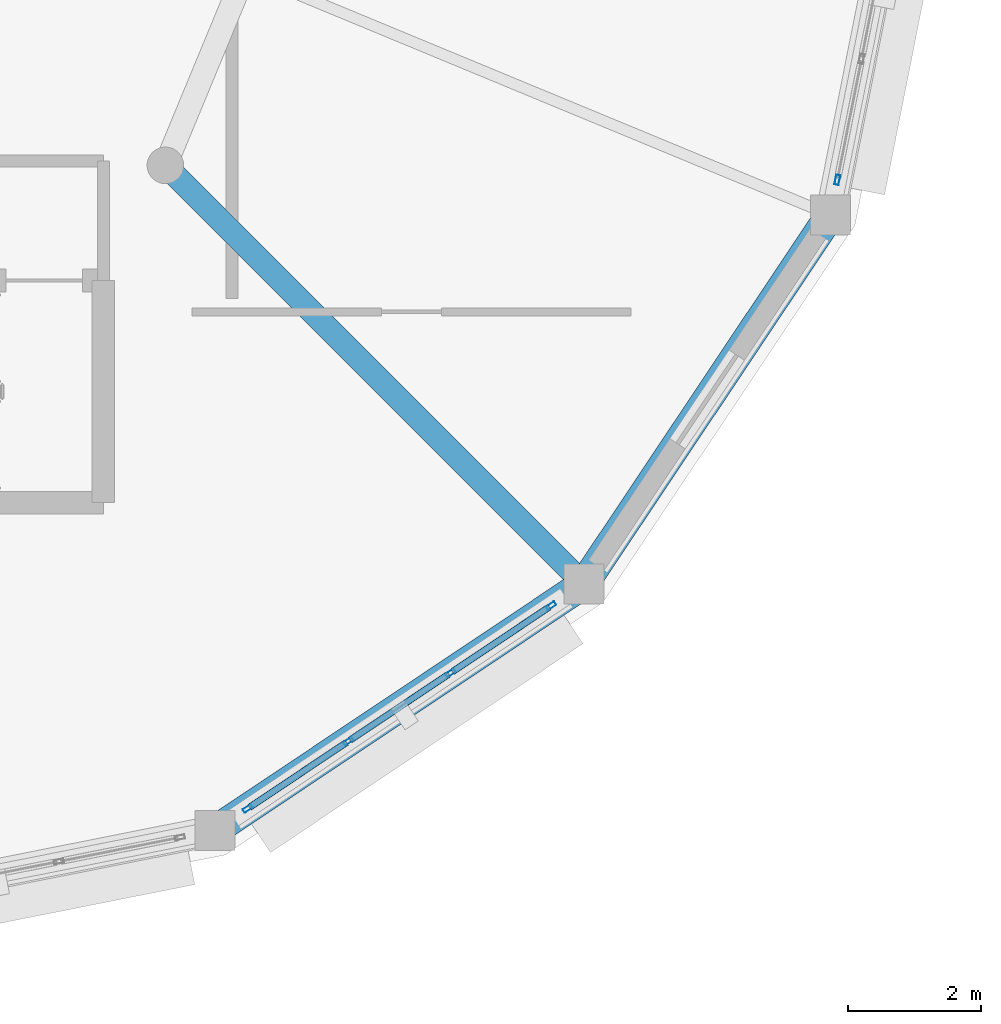
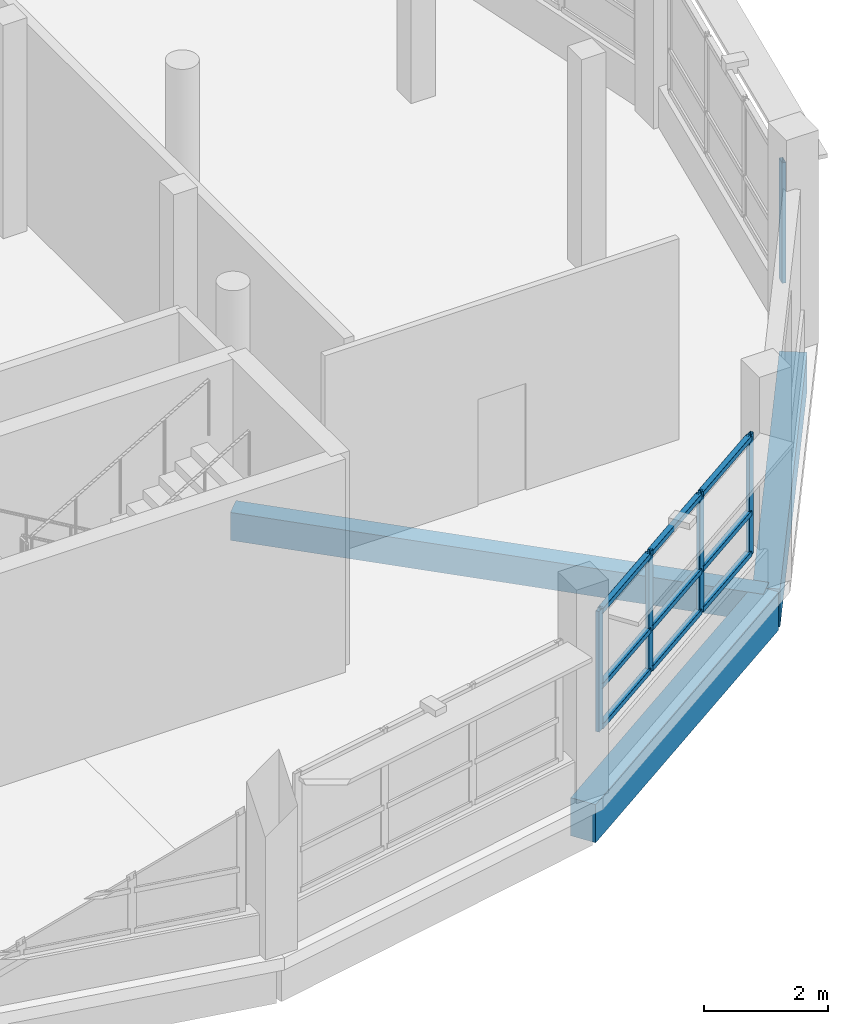
# One storey, part 77 of 128: 14 members, 3 beams, 2 elements without a shape of their own.
"""IFC4 building model written with IfcOpenShell, lengths in metres."""

from ifc_helpers import new_model, si_unit, direction, frame, origin, origin_2d, place, context, subcontext, project, spatial, rectangle, hollow_rectangle, extrude, material, layer, layer_set, material_profile, profile_set, type_object, element, aggregate, save


model = new_model("IFC4")

# Units and contexts
model_context = context("Model", 3, precision=1e-05, world=origin(), true_north=direction((0.0, 1.0)))
body_context = subcontext(model_context, "Body", "Model", "MODEL_VIEW")
ifc_project = project(units=[si_unit("LENGTHUNIT", "METRE"), si_unit("AREAUNIT", "SQUARE_METRE"), si_unit("VOLUMEUNIT", "CUBIC_METRE"), si_unit("PLANEANGLEUNIT", "RADIAN"), si_unit("MASSUNIT", "GRAM", prefix="KILO")], contexts=[model_context])

# Site, building, storey
site_placement = place(None, origin())
site = spatial("IfcSite", under=ifc_project, at=site_placement, CompositionType="ELEMENT")
building_placement = place(site_placement, origin())
building = spatial("IfcBuilding", under=site, at=building_placement, Name="Vespera Passage Community Centre", CompositionType="ELEMENT")
storey_placement = place(building_placement, frame((0.0, 0.0, 4.5)))
storey = spatial("IfcBuildingStorey", under=building, at=storey_placement, Name="L01", CompositionType="ELEMENT", Elevation=4.5)

# Beams
ifc_material_1 = material(Name="Concrete f'c 35 MPa", Category="concrete")
ifc_material_profile_1 = material_profile(ifc_material_1, rectangle(XDim=0.35009765625, YDim=0.550048828125, at=origin_2d()), Name="RC350X550")
ifc_profile_set_1 = profile_set([ifc_material_profile_1], Name="Concrete f'c 35 MPa")
beam_type_1 = type_object("IfcBeamType", Name="BM-J-350X550", PredefinedType="JOIST", material=ifc_profile_set_1)
beam_placement = place(storey_placement, frame((146.79833984375, 19.20166015625, -0.514892578125), z_axis=(0.707106781187, -0.707106781187, 0.0), x_axis=(0.707106781187, 0.707106781187, 0.0)))
element("IfcBeam", 1, at=beam_placement, inside=storey, type_object=beam_type_1, Name="V3 L01 Radial Girder 8", PredefinedType="JOIST", context=body_context, shape_type="SweptSolid", body=[
    extrude(rectangle(XDim=0.35009765625, YDim=0.550048828125, at=origin_2d()), origin(), (0.0, 0.0, 1.0), 8.89990234375),
])
ifc_material_2 = material(Name="Concrete f'c 35 MPa", Category="concrete")
ifc_material_profile_2 = material_profile(ifc_material_2, rectangle(XDim=0.449951171875, YDim=0.75, at=origin_2d()), Name="RC450X750")
ifc_profile_set_2 = profile_set([ifc_material_profile_2], Name="Concrete f'c 35 MPa")
beam_type_2 = type_object("IfcBeamType", Name="BM-SP-450X750E", PredefinedType="SPANDREL", material=ifc_profile_set_2)
for number, where, z_axis, x_axis, name in (
    (2, (147.5439453125, 9.20166015625, -0.614990234375), (0.831470004276, 0.55556964639, 0.0), (-0.55556964639, 0.831470004276, 0.0), "V3 L01 Spandrel 14"),
    (3, (153.091552734375, 12.908447265625, -0.614990234375), (0.55556964639, 0.831470004276, 0.0), (-0.831470004276, 0.55556964639, 0.0), "V3 L01 Spandrel 15"),
):
    element("IfcBeam", number, at=place(storey_placement, frame(where, z_axis=z_axis, x_axis=x_axis)), inside=storey, type_object=beam_type_2, Name=name, PredefinedType="SPANDREL", context=body_context, shape_type="SweptSolid", body=[
        extrude(rectangle(XDim=0.449951171875, YDim=0.75, at=origin_2d()), origin(), (0.0, 0.0, 1.0), 6.672119140625),
    ])

# Curtain wall, members
ifc_material_3 = material(Name="Anodized aluminium 6063-T6", Category="aluminium")
ifc_layer_1 = layer(ifc_material_3, 0.159912109375)
ifc_layer_set_1 = layer_set([ifc_layer_1], Name="Anodized aluminium 6063-T6")
curtain_wall_type_1 = type_object("IfcCurtainWallType", Name="CW-106E", PredefinedType="NOTDEFINED", material=ifc_layer_set_1)
curtain_wall_1_placement = place(storey_placement, origin())
curtain_wall_1 = element("IfcCurtainWall", 4, at=curtain_wall_1_placement, inside=storey, type_object=curtain_wall_type_1, Name="Dining Drum Ribbon Curtain Wall L01.14", PredefinedType="NOTDEFINED")
ifc_material_4 = material(Name="Anodized aluminium 6063-T6", Category="aluminium")
ifc_material_profile_3 = material_profile(ifc_material_4, hollow_rectangle(XDim=0.06494140625, YDim=0.14990234375, WallThickness=0.00390625, InnerFilletRadius=0.001953125, OuterFilletRadius=0.00390625, at=origin_2d()), Name="ALU150X65X4")
ifc_profile_set_3 = profile_set([ifc_material_profile_3], Name="Anodized aluminium 6063-T6")
member_type_1 = type_object("IfcMemberType", Name="MB-CWM-150E", PredefinedType="MULLION", material=ifc_profile_set_3)
member_1_placement = place(storey_placement, frame((152.59814453125, 12.578857421875, 0.800048828125), z_axis=(0.0, 0.0, 1.0), x_axis=(0.555564700918, -0.831473308708, 0.0)))
member_1 = element("IfcMember", 5, at=member_1_placement, type_object=member_type_1, Name="CW-106E mullion 1", PredefinedType="MULLION", context=body_context, shape_type="SweptSolid", body=[
    extrude(hollow_rectangle(XDim=0.06494140625, YDim=0.14990234375, WallThickness=0.00390625, InnerFilletRadius=0.001953125, OuterFilletRadius=0.00390625, at=origin_2d()), origin(), (0.0, 0.0, 1.0), 2.375),
])
member_2_placement = place(storey_placement, frame((151.0869140625, 11.569091796875, 0.800048828125), z_axis=(0.0, 0.0, 1.0), x_axis=(0.555564700918, -0.831473308708, 0.0)))
member_2 = element("IfcMember", 6, at=member_2_placement, type_object=member_type_1, Name="CW-106E mullion 2", PredefinedType="MULLION", context=body_context, shape_type="SweptSolid", body=[
    extrude(hollow_rectangle(XDim=0.06494140625, YDim=0.14990234375, WallThickness=0.00390625, InnerFilletRadius=0.001953125, OuterFilletRadius=0.00390625, at=origin_2d()), origin(), (0.0, 0.0, 1.0), 2.375),
])
member_3_placement = place(storey_placement, frame((149.548583984375, 10.541259765625, 0.800048828125), z_axis=(0.0, 0.0, 1.0), x_axis=(0.555564700918, -0.831473308708, 0.0)))
member_3 = element("IfcMember", 7, at=member_3_placement, type_object=member_type_1, Name="CW-106E mullion 3", PredefinedType="MULLION", context=body_context, shape_type="SweptSolid", body=[
    extrude(hollow_rectangle(XDim=0.06494140625, YDim=0.14990234375, WallThickness=0.00390625, InnerFilletRadius=0.001953125, OuterFilletRadius=0.00390625, at=origin_2d()), origin(), (0.0, 0.0, 1.0), 2.375),
])
member_4_placement = place(storey_placement, frame((148.037109375, 9.53125, 0.800048828125), z_axis=(0.0, 0.0, 1.0), x_axis=(0.555564700918, -0.831473308708, 0.0)))
member_4 = element("IfcMember", 8, at=member_4_placement, type_object=member_type_1, Name="CW-106E mullion 4", PredefinedType="MULLION", context=body_context, shape_type="SweptSolid", body=[
    extrude(hollow_rectangle(XDim=0.06494140625, YDim=0.14990234375, WallThickness=0.00390625, InnerFilletRadius=0.001953125, OuterFilletRadius=0.00390625, at=origin_2d()), origin(), (0.0, 0.0, 1.0), 2.375),
])

# Curtain wall, member
ifc_material_5 = material(Name="Anodized aluminium 6063-T6", Category="aluminium")
ifc_layer_2 = layer(ifc_material_5, 0.159912109375)
ifc_layer_set_2 = layer_set([ifc_layer_2], Name="Anodized aluminium 6063-T6")
curtain_wall_type_2 = type_object("IfcCurtainWallType", Name="CW-105E", PredefinedType="NOTDEFINED", material=ifc_layer_set_2)
curtain_wall_2_placement = place(storey_placement, origin())
curtain_wall_2 = element("IfcCurtainWall", 9, at=curtain_wall_2_placement, inside=storey, type_object=curtain_wall_type_2, Name="Dining Drum Ribbon Curtain Wall L01.16", PredefinedType="NOTDEFINED")
member_5_placement = place(storey_placement, frame((156.9033203125, 18.984130859375, 0.800048828125), z_axis=(0.0, 0.0, 1.0), x_axis=(0.980783996069, -0.195096778691, 0.0)))
member_5 = element("IfcMember", 10, at=member_5_placement, type_object=member_type_1, Name="CW-105E mullion 4", PredefinedType="MULLION", context=body_context, shape_type="SweptSolid", body=[
    extrude(hollow_rectangle(XDim=0.06494140625, YDim=0.14990234375, WallThickness=0.00390625, InnerFilletRadius=0.001953125, OuterFilletRadius=0.00390625, at=origin_2d()), origin(), (0.0, 0.0, 1.0), 2.375),
])
aggregate(curtain_wall_2, [member_5])

# Member
ifc_material_6 = material(Name="Anodized aluminium 6063-T6", Category="aluminium")
ifc_material_profile_4 = material_profile(ifc_material_6, hollow_rectangle(XDim=0.10009765625, YDim=0.10009765625, WallThickness=0.00390625, InnerFilletRadius=0.001953125, OuterFilletRadius=0.00390625, at=origin_2d()), Name="ALU100X100X4")
ifc_profile_set_4 = profile_set([ifc_material_profile_4], Name="Anodized aluminium 6063-T6")
member_type_2 = type_object("IfcMemberType", Name="MB-CWT-100E", PredefinedType="USERDEFINED", material=ifc_profile_set_4)
member_6_placement = place(storey_placement, frame((152.571044921875, 12.560791015625, 0.85009765625), z_axis=(-0.831492667194, -0.555535727386, 0.0), x_axis=(0.555535727386, -0.831492667194, 0.0)))
member_6 = element("IfcMember", 11, at=member_6_placement, type_object=member_type_2, Name="CW-106E transom 1.1", ObjectType="TRANSOM", PredefinedType="USERDEFINED", context=body_context, shape_type="SweptSolid", body=[
    extrude(hollow_rectangle(XDim=0.10009765625, YDim=0.10009765625, WallThickness=0.00390625, InnerFilletRadius=0.001953125, OuterFilletRadius=0.00390625, at=origin_2d()), origin(), (0.0, 0.0, 1.0), 1.752685546875),
])

member_7_placement = place(storey_placement, frame((152.571044921875, 12.560791015625, 1.64990234375), z_axis=(-0.831492667194, -0.555535727386, 0.0), x_axis=(0.555535727386, -0.831492667194, 0.0)))
member_7 = element("IfcMember", 12, at=member_7_placement, type_object=member_type_2, Name="CW-106E transom 1.2", ObjectType="TRANSOM", PredefinedType="USERDEFINED", context=body_context, shape_type="SweptSolid", body=[
    extrude(hollow_rectangle(XDim=0.10009765625, YDim=0.10009765625, WallThickness=0.00390625, InnerFilletRadius=0.001953125, OuterFilletRadius=0.00390625, at=origin_2d()), origin(), (0.0, 0.0, 1.0), 1.752685546875),
])

member_8_placement = place(storey_placement, frame((152.571044921875, 12.560791015625, 3.125), z_axis=(-0.831492667194, -0.555535727386, 0.0), x_axis=(0.555535727386, -0.831492667194, 0.0)))
member_8 = element("IfcMember", 13, at=member_8_placement, type_object=member_type_2, Name="CW-106E transom 1.3", ObjectType="TRANSOM", PredefinedType="USERDEFINED", context=body_context, shape_type="SweptSolid", body=[
    extrude(hollow_rectangle(XDim=0.10009765625, YDim=0.10009765625, WallThickness=0.00390625, InnerFilletRadius=0.001953125, OuterFilletRadius=0.00390625, at=origin_2d()), origin(), (0.0, 0.0, 1.0), 1.752685546875),
])

member_9_placement = place(storey_placement, frame((151.059814453125, 11.551025390625, 0.85009765625), z_axis=(-0.831502848374, -0.555520488502, 0.0), x_axis=(0.555520488502, -0.831502848374, 0.0)))
member_9 = element("IfcMember", 14, at=member_9_placement, type_object=member_type_2, Name="CW-106E transom 2.1", ObjectType="TRANSOM", PredefinedType="USERDEFINED", context=body_context, shape_type="SweptSolid", body=[
    extrude(hollow_rectangle(XDim=0.10009765625, YDim=0.10009765625, WallThickness=0.00390625, InnerFilletRadius=0.001953125, OuterFilletRadius=0.00390625, at=origin_2d()), origin(), (0.0, 0.0, 1.0), 1.78515625),
])

member_10_placement = place(storey_placement, frame((151.059814453125, 11.551025390625, 1.64990234375), z_axis=(-0.831502848374, -0.555520488502, 0.0), x_axis=(0.555520488502, -0.831502848374, 0.0)))
member_10 = element("IfcMember", 15, at=member_10_placement, type_object=member_type_2, Name="CW-106E transom 2.2", ObjectType="TRANSOM", PredefinedType="USERDEFINED", context=body_context, shape_type="SweptSolid", body=[
    extrude(hollow_rectangle(XDim=0.10009765625, YDim=0.10009765625, WallThickness=0.00390625, InnerFilletRadius=0.001953125, OuterFilletRadius=0.00390625, at=origin_2d()), origin(), (0.0, 0.0, 1.0), 1.78515625),
])

member_11_placement = place(storey_placement, frame((151.059814453125, 11.551025390625, 3.125), z_axis=(-0.831502848374, -0.555520488502, 0.0), x_axis=(0.555520488502, -0.831502848374, 0.0)))
member_11 = element("IfcMember", 16, at=member_11_placement, type_object=member_type_2, Name="CW-106E transom 2.3", ObjectType="TRANSOM", PredefinedType="USERDEFINED", context=body_context, shape_type="SweptSolid", body=[
    extrude(hollow_rectangle(XDim=0.10009765625, YDim=0.10009765625, WallThickness=0.00390625, InnerFilletRadius=0.001953125, OuterFilletRadius=0.00390625, at=origin_2d()), origin(), (0.0, 0.0, 1.0), 1.78515625),
])

member_12_placement = place(storey_placement, frame((149.521484375, 10.523193359375, 0.85009765625), z_axis=(-0.831428319751, -0.555632026719, 0.0), x_axis=(0.555632026719, -0.831428319751, 0.0)))
member_12 = element("IfcMember", 17, at=member_12_placement, type_object=member_type_2, Name="CW-106E transom 3.1", ObjectType="TRANSOM", PredefinedType="USERDEFINED", context=body_context, shape_type="SweptSolid", body=[
    extrude(hollow_rectangle(XDim=0.10009765625, YDim=0.10009765625, WallThickness=0.00390625, InnerFilletRadius=0.001953125, OuterFilletRadius=0.00390625, at=origin_2d()), origin(), (0.0, 0.0, 1.0), 1.752685546875),
])

member_13_placement = place(storey_placement, frame((149.521484375, 10.523193359375, 1.64990234375), z_axis=(-0.831428319751, -0.555632026719, 0.0), x_axis=(0.555632026719, -0.831428319751, 0.0)))
member_13 = element("IfcMember", 18, at=member_13_placement, type_object=member_type_2, Name="CW-106E transom 3.2", ObjectType="TRANSOM", PredefinedType="USERDEFINED", context=body_context, shape_type="SweptSolid", body=[
    extrude(hollow_rectangle(XDim=0.10009765625, YDim=0.10009765625, WallThickness=0.00390625, InnerFilletRadius=0.001953125, OuterFilletRadius=0.00390625, at=origin_2d()), origin(), (0.0, 0.0, 1.0), 1.752685546875),
])

member_14_placement = place(storey_placement, frame((149.521484375, 10.523193359375, 3.125), z_axis=(-0.831428319751, -0.555632026719, 0.0), x_axis=(0.555632026719, -0.831428319751, 0.0)))
member_14 = element("IfcMember", 19, at=member_14_placement, type_object=member_type_2, Name="CW-106E transom 3.3", ObjectType="TRANSOM", PredefinedType="USERDEFINED", context=body_context, shape_type="SweptSolid", body=[
    extrude(hollow_rectangle(XDim=0.10009765625, YDim=0.10009765625, WallThickness=0.00390625, InnerFilletRadius=0.001953125, OuterFilletRadius=0.00390625, at=origin_2d()), origin(), (0.0, 0.0, 1.0), 1.752685546875),
])

aggregate(curtain_wall_1, [member_1, member_2, member_3, member_4, member_6, member_7, member_8, member_9, member_10, member_11, member_12, member_13, member_14])

save(model, "model.ifc")
